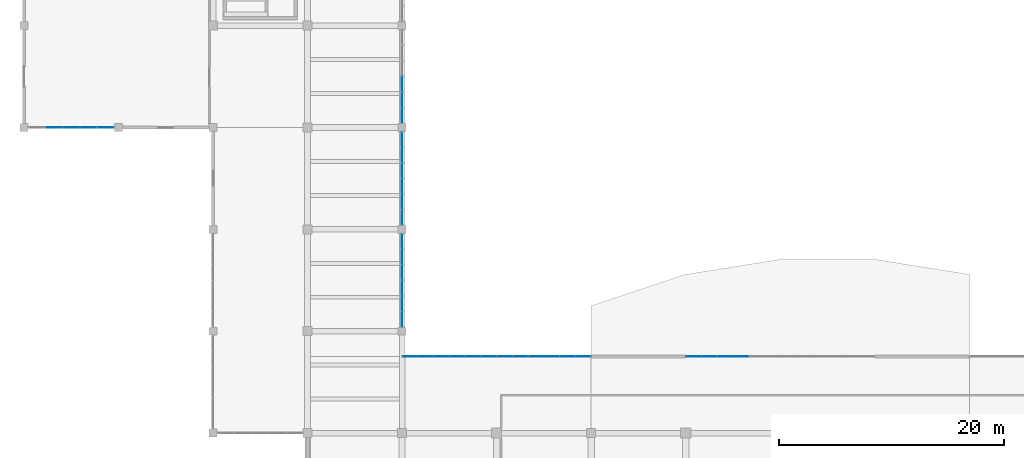
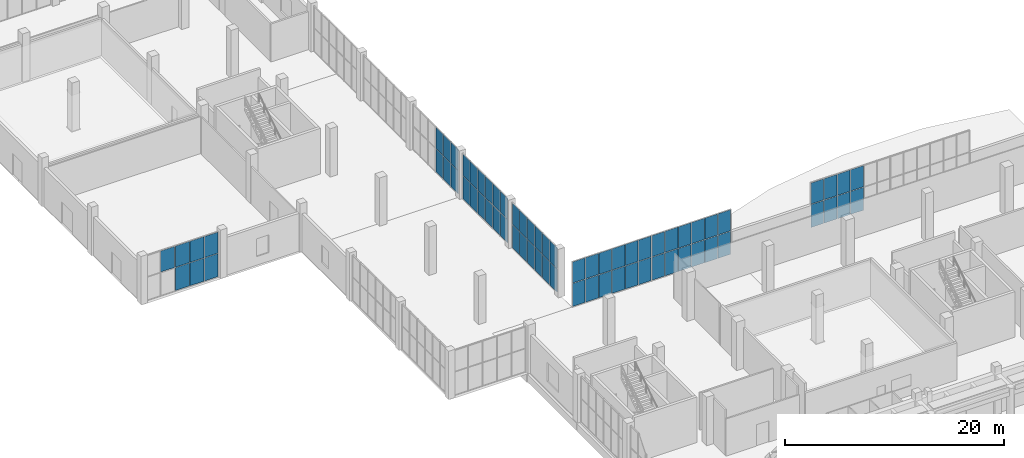
# One storey, part 63 of 91: 69 plates, 7 elements without a shape of their own.
"""IFC4 building model written with IfcOpenShell, lengths in metres."""

from ifc_helpers import new_model, si_unit, direction, frame, origin, origin_2d, place, context, subcontext, project, spatial, rectangle, extrude, material, layer, layer_set, type_object, element, aggregate, save


model = new_model("IFC4")

# Units and contexts
model_context = context("Model", 3, precision=1e-05, world=origin(), true_north=direction((0.0, 1.0)))
body_context = subcontext(model_context, "Body", "Model", "MODEL_VIEW")
ifc_project = project(units=[si_unit("LENGTHUNIT", "METRE"), si_unit("AREAUNIT", "SQUARE_METRE"), si_unit("VOLUMEUNIT", "CUBIC_METRE"), si_unit("PLANEANGLEUNIT", "RADIAN"), si_unit("MASSUNIT", "GRAM", prefix="KILO")], contexts=[model_context])

# Site, building, storey
site_placement = place(None, origin())
site = spatial("IfcSite", under=ifc_project, at=site_placement, CompositionType="ELEMENT")
building_placement = place(site_placement, origin())
building = spatial("IfcBuilding", under=site, at=building_placement, Name="Khurvash Pelagic Aquarium", CompositionType="ELEMENT")
storey_placement = place(building_placement, origin())
storey = spatial("IfcBuildingStorey", under=building, at=storey_placement, Name="L00", CompositionType="ELEMENT", Elevation=0.0)

# Curtain wall, plates
ifc_material_1 = material(Name="Anodised aluminium and low-E laminated glass", Category="aluminium")
curtain_wall_type_1 = type_object("IfcCurtainWallType", Name="CW-02", PredefinedType="USERDEFINED", material=ifc_material_1)
curtain_wall_1_placement = place(storey_placement, origin())
curtain_wall_1 = element("IfcCurtainWall", 1, at=curtain_wall_1_placement, inside=storey, type_object=curtain_wall_type_1, Name="L00 Facade Unitised Curtain Wall CW-02 0071", ObjectType="UNITISED CURTAIN WALL", PredefinedType="USERDEFINED")
ifc_material_2 = material(Name="Low-E laminated double glazing", Category="glass")
ifc_layer_1 = layer(ifc_material_2, 0.031982421875)
ifc_layer_set_1 = layer_set([ifc_layer_1], Name="Low-E laminated double glazing")
plate_type_1 = type_object("IfcPlateType", Name="CG-02", PredefinedType="CURTAIN_PANEL", material=ifc_layer_set_1)
plate_1_placement = place(storey_placement, frame((2.662109375, 56.89990234375, 2.677001953125), z_axis=(0.0, 0.0, 1.0), x_axis=(1.0, 0.0, 0.0)))
plate_1 = element("IfcPlate", 2, at=plate_1_placement, type_object=plate_type_1, Name="CW-02 panel 2.2", PredefinedType="CURTAIN_PANEL", context=body_context, shape_type="SweptSolid", body=[
    extrude(rectangle(XDim=1.47802734375, YDim=0.031982421875, at=origin_2d()), origin(), (0.0, 0.0, 1.0), 2.35302734375),
])
plate_2_placement = place(storey_placement, frame((4.199951171875, 56.89990234375, 0.06005859375), z_axis=(0.0, 0.0, 1.0), x_axis=(1.0, 0.0, 0.0)))
plate_2 = element("IfcPlate", 3, at=plate_2_placement, type_object=plate_type_1, Name="CW-02 panel 3.1", PredefinedType="CURTAIN_PANEL", context=body_context, shape_type="SweptSolid", body=[
    extrude(rectangle(XDim=1.47802734375, YDim=0.031982421875, at=origin_2d()), origin(), (0.0, 0.0, 1.0), 2.556884765625),
])
plate_3_placement = place(storey_placement, frame((4.199951171875, 56.89990234375, 2.677001953125), z_axis=(0.0, 0.0, 1.0), x_axis=(1.0, 0.0, 0.0)))
plate_3 = element("IfcPlate", 4, at=plate_3_placement, type_object=plate_type_1, Name="CW-02 panel 3.2", PredefinedType="CURTAIN_PANEL", context=body_context, shape_type="SweptSolid", body=[
    extrude(rectangle(XDim=1.47802734375, YDim=0.031982421875, at=origin_2d()), origin(), (0.0, 0.0, 1.0), 2.35302734375),
])
plate_4_placement = place(storey_placement, frame((5.738037109375, 56.89990234375, 0.06005859375), z_axis=(0.0, 0.0, 1.0), x_axis=(1.0, 0.0, 0.0)))
plate_4 = element("IfcPlate", 5, at=plate_4_placement, type_object=plate_type_1, Name="CW-02 panel 4.1", PredefinedType="CURTAIN_PANEL", context=body_context, shape_type="SweptSolid", body=[
    extrude(rectangle(XDim=1.47802734375, YDim=0.031982421875, at=origin_2d()), origin(), (0.0, 0.0, 1.0), 2.556884765625),
])
plate_5_placement = place(storey_placement, frame((5.738037109375, 56.89990234375, 2.677001953125), z_axis=(0.0, 0.0, 1.0), x_axis=(1.0, 0.0, 0.0)))
plate_5 = element("IfcPlate", 6, at=plate_5_placement, type_object=plate_type_1, Name="CW-02 panel 4.2", PredefinedType="CURTAIN_PANEL", context=body_context, shape_type="SweptSolid", body=[
    extrude(rectangle(XDim=1.47802734375, YDim=0.031982421875, at=origin_2d()), origin(), (0.0, 0.0, 1.0), 2.35302734375),
])
plate_6_placement = place(storey_placement, frame((7.260986328125, 56.89990234375, 0.06005859375), z_axis=(0.0, 0.0, 1.0), x_axis=(1.0, 0.0, 0.0)))
plate_6 = element("IfcPlate", 7, at=plate_6_placement, type_object=plate_type_1, Name="CW-02 panel 5.1", PredefinedType="CURTAIN_PANEL", context=body_context, shape_type="SweptSolid", body=[
    extrude(rectangle(XDim=1.447998046875, YDim=0.031982421875, at=origin_2d()), origin(), (0.0, 0.0, 1.0), 2.556884765625),
])
plate_7_placement = place(storey_placement, frame((7.260986328125, 56.89990234375, 2.677001953125), z_axis=(0.0, 0.0, 1.0), x_axis=(1.0, 0.0, 0.0)))
plate_7 = element("IfcPlate", 8, at=plate_7_placement, type_object=plate_type_1, Name="CW-02 panel 5.2", PredefinedType="CURTAIN_PANEL", context=body_context, shape_type="SweptSolid", body=[
    extrude(rectangle(XDim=1.447998046875, YDim=0.031982421875, at=origin_2d()), origin(), (0.0, 0.0, 1.0), 2.35302734375),
])
aggregate(curtain_wall_1, [plate_1, plate_2, plate_3, plate_4, plate_5, plate_6, plate_7])

curtain_wall_2_placement = place(storey_placement, origin())
curtain_wall_2 = element("IfcCurtainWall", 9, at=curtain_wall_2_placement, inside=storey, type_object=curtain_wall_type_1, Name="L00 Facade Unitised Curtain Wall CW-02 0097", ObjectType="UNITISED CURTAIN WALL", PredefinedType="USERDEFINED")
plate_8_placement = place(storey_placement, frame((63.699951171875, 36.550048828125, 0.06005859375), z_axis=(0.0, 0.0, 1.0), x_axis=(-1.0, 0.0, 0.0)))
plate_8 = element("IfcPlate", 10, at=plate_8_placement, type_object=plate_type_1, Name="CW-02 panel 3.1", PredefinedType="CURTAIN_PANEL", context=body_context, shape_type="SweptSolid", body=[
    extrude(rectangle(XDim=1.340087890625, YDim=0.031982421875, at=origin_2d()), origin(), (0.0, 0.0, 1.0), 2.556884765625),
])
plate_9_placement = place(storey_placement, frame((63.699951171875, 36.550048828125, 2.677001953125), z_axis=(0.0, 0.0, 1.0), x_axis=(-1.0, 0.0, 0.0)))
plate_9 = element("IfcPlate", 11, at=plate_9_placement, type_object=plate_type_1, Name="CW-02 panel 3.2", PredefinedType="CURTAIN_PANEL", context=body_context, shape_type="SweptSolid", body=[
    extrude(rectangle(XDim=1.340087890625, YDim=0.031982421875, at=origin_2d()), origin(), (0.0, 0.0, 1.0), 2.35302734375),
])
plate_10_placement = place(storey_placement, frame((62.300048828125, 36.550048828125, 0.06005859375), z_axis=(0.0, 0.0, 1.0), x_axis=(-1.0, 0.0, 0.0)))
plate_10 = element("IfcPlate", 12, at=plate_10_placement, type_object=plate_type_1, Name="CW-02 panel 4.1", PredefinedType="CURTAIN_PANEL", context=body_context, shape_type="SweptSolid", body=[
    extrude(rectangle(XDim=1.340087890625, YDim=0.031982421875, at=origin_2d()), origin(), (0.0, 0.0, 1.0), 2.556884765625),
])
plate_11_placement = place(storey_placement, frame((62.300048828125, 36.550048828125, 2.677001953125), z_axis=(0.0, 0.0, 1.0), x_axis=(-1.0, 0.0, 0.0)))
plate_11 = element("IfcPlate", 13, at=plate_11_placement, type_object=plate_type_1, Name="CW-02 panel 4.2", PredefinedType="CURTAIN_PANEL", context=body_context, shape_type="SweptSolid", body=[
    extrude(rectangle(XDim=1.340087890625, YDim=0.031982421875, at=origin_2d()), origin(), (0.0, 0.0, 1.0), 2.35302734375),
])
plate_12_placement = place(storey_placement, frame((60.89990234375, 36.550048828125, 0.06005859375), z_axis=(0.0, 0.0, 1.0), x_axis=(-1.0, 0.0, 0.0)))
plate_12 = element("IfcPlate", 14, at=plate_12_placement, type_object=plate_type_1, Name="CW-02 panel 5.1", PredefinedType="CURTAIN_PANEL", context=body_context, shape_type="SweptSolid", body=[
    extrude(rectangle(XDim=1.340087890625, YDim=0.031982421875, at=origin_2d()), origin(), (0.0, 0.0, 1.0), 2.556884765625),
])
plate_13_placement = place(storey_placement, frame((60.89990234375, 36.550048828125, 2.677001953125), z_axis=(0.0, 0.0, 1.0), x_axis=(-1.0, 0.0, 0.0)))
plate_13 = element("IfcPlate", 15, at=plate_13_placement, type_object=plate_type_1, Name="CW-02 panel 5.2", PredefinedType="CURTAIN_PANEL", context=body_context, shape_type="SweptSolid", body=[
    extrude(rectangle(XDim=1.340087890625, YDim=0.031982421875, at=origin_2d()), origin(), (0.0, 0.0, 1.0), 2.35302734375),
])
plate_14_placement = place(storey_placement, frame((59.514892578125, 36.550048828125, 0.06005859375), z_axis=(0.0, 0.0, 1.0), x_axis=(-1.0, 0.0, 0.0)))
plate_14 = element("IfcPlate", 16, at=plate_14_placement, type_object=plate_type_1, Name="CW-02 panel 6.1", PredefinedType="CURTAIN_PANEL", context=body_context, shape_type="SweptSolid", body=[
    extrude(rectangle(XDim=1.31005859375, YDim=0.031982421875, at=origin_2d()), origin(), (0.0, 0.0, 1.0), 2.556884765625),
])
plate_15_placement = place(storey_placement, frame((59.514892578125, 36.550048828125, 2.677001953125), z_axis=(0.0, 0.0, 1.0), x_axis=(-1.0, 0.0, 0.0)))
plate_15 = element("IfcPlate", 17, at=plate_15_placement, type_object=plate_type_1, Name="CW-02 panel 6.2", PredefinedType="CURTAIN_PANEL", context=body_context, shape_type="SweptSolid", body=[
    extrude(rectangle(XDim=1.31005859375, YDim=0.031982421875, at=origin_2d()), origin(), (0.0, 0.0, 1.0), 2.35302734375),
])
aggregate(curtain_wall_2, [plate_8, plate_9, plate_10, plate_11, plate_12, plate_13, plate_14, plate_15])

curtain_wall_3_placement = place(storey_placement, origin())
curtain_wall_3 = element("IfcCurtainWall", 18, at=curtain_wall_3_placement, inside=storey, type_object=curtain_wall_type_1, Name="L00 Facade Unitised Curtain Wall CW-02 0098", ObjectType="UNITISED CURTAIN WALL", PredefinedType="USERDEFINED")
plate_16_placement = place(storey_placement, frame((49.68505859375, 36.550048828125, 0.06005859375), z_axis=(0.0, 0.0, 1.0), x_axis=(-1.0, 0.0, 0.0)))
plate_16 = element("IfcPlate", 19, at=plate_16_placement, type_object=plate_type_1, Name="CW-02 panel 1.1", PredefinedType="CURTAIN_PANEL", context=body_context, shape_type="SweptSolid", body=[
    extrude(rectangle(XDim=1.31005859375, YDim=0.031982421875, at=origin_2d()), origin(), (0.0, 0.0, 1.0), 2.556884765625),
])
plate_17_placement = place(storey_placement, frame((49.68505859375, 36.550048828125, 2.677001953125), z_axis=(0.0, 0.0, 1.0), x_axis=(-1.0, 0.0, 0.0)))
plate_17 = element("IfcPlate", 20, at=plate_17_placement, type_object=plate_type_1, Name="CW-02 panel 1.2", PredefinedType="CURTAIN_PANEL", context=body_context, shape_type="SweptSolid", body=[
    extrude(rectangle(XDim=1.31005859375, YDim=0.031982421875, at=origin_2d()), origin(), (0.0, 0.0, 1.0), 2.35302734375),
])
plate_18_placement = place(storey_placement, frame((48.300048828125, 36.550048828125, 0.06005859375), z_axis=(0.0, 0.0, 1.0), x_axis=(-1.0, 0.0, 0.0)))
plate_18 = element("IfcPlate", 21, at=plate_18_placement, type_object=plate_type_1, Name="CW-02 panel 2.1", PredefinedType="CURTAIN_PANEL", context=body_context, shape_type="SweptSolid", body=[
    extrude(rectangle(XDim=1.340087890625, YDim=0.031982421875, at=origin_2d()), origin(), (0.0, 0.0, 1.0), 2.556884765625),
])
plate_19_placement = place(storey_placement, frame((48.300048828125, 36.550048828125, 2.677001953125), z_axis=(0.0, 0.0, 1.0), x_axis=(-1.0, 0.0, 0.0)))
plate_19 = element("IfcPlate", 22, at=plate_19_placement, type_object=plate_type_1, Name="CW-02 panel 2.2", PredefinedType="CURTAIN_PANEL", context=body_context, shape_type="SweptSolid", body=[
    extrude(rectangle(XDim=1.340087890625, YDim=0.031982421875, at=origin_2d()), origin(), (0.0, 0.0, 1.0), 2.35302734375),
])
plate_20_placement = place(storey_placement, frame((46.89990234375, 36.550048828125, 0.06005859375), z_axis=(0.0, 0.0, 1.0), x_axis=(-1.0, 0.0, 0.0)))
plate_20 = element("IfcPlate", 23, at=plate_20_placement, type_object=plate_type_1, Name="CW-02 panel 3.1", PredefinedType="CURTAIN_PANEL", context=body_context, shape_type="SweptSolid", body=[
    extrude(rectangle(XDim=1.340087890625, YDim=0.031982421875, at=origin_2d()), origin(), (0.0, 0.0, 1.0), 2.556884765625),
])
plate_21_placement = place(storey_placement, frame((46.89990234375, 36.550048828125, 2.677001953125), z_axis=(0.0, 0.0, 1.0), x_axis=(-1.0, 0.0, 0.0)))
plate_21 = element("IfcPlate", 24, at=plate_21_placement, type_object=plate_type_1, Name="CW-02 panel 3.2", PredefinedType="CURTAIN_PANEL", context=body_context, shape_type="SweptSolid", body=[
    extrude(rectangle(XDim=1.340087890625, YDim=0.031982421875, at=origin_2d()), origin(), (0.0, 0.0, 1.0), 2.35302734375),
])
plate_22_placement = place(storey_placement, frame((45.5, 36.550048828125, 0.06005859375), z_axis=(0.0, 0.0, 1.0), x_axis=(-1.0, 0.0, 0.0)))
plate_22 = element("IfcPlate", 25, at=plate_22_placement, type_object=plate_type_1, Name="CW-02 panel 4.1", PredefinedType="CURTAIN_PANEL", context=body_context, shape_type="SweptSolid", body=[
    extrude(rectangle(XDim=1.340087890625, YDim=0.031982421875, at=origin_2d()), origin(), (0.0, 0.0, 1.0), 2.556884765625),
])
plate_23_placement = place(storey_placement, frame((45.5, 36.550048828125, 2.677001953125), z_axis=(0.0, 0.0, 1.0), x_axis=(-1.0, 0.0, 0.0)))
plate_23 = element("IfcPlate", 26, at=plate_23_placement, type_object=plate_type_1, Name="CW-02 panel 4.2", PredefinedType="CURTAIN_PANEL", context=body_context, shape_type="SweptSolid", body=[
    extrude(rectangle(XDim=1.340087890625, YDim=0.031982421875, at=origin_2d()), origin(), (0.0, 0.0, 1.0), 2.35302734375),
])
plate_24_placement = place(storey_placement, frame((44.10009765625, 36.550048828125, 0.06005859375), z_axis=(0.0, 0.0, 1.0), x_axis=(-1.0, 0.0, 0.0)))
plate_24 = element("IfcPlate", 27, at=plate_24_placement, type_object=plate_type_1, Name="CW-02 panel 5.1", PredefinedType="CURTAIN_PANEL", context=body_context, shape_type="SweptSolid", body=[
    extrude(rectangle(XDim=1.340087890625, YDim=0.031982421875, at=origin_2d()), origin(), (0.0, 0.0, 1.0), 2.556884765625),
])
plate_25_placement = place(storey_placement, frame((44.10009765625, 36.550048828125, 2.677001953125), z_axis=(0.0, 0.0, 1.0), x_axis=(-1.0, 0.0, 0.0)))
plate_25 = element("IfcPlate", 28, at=plate_25_placement, type_object=plate_type_1, Name="CW-02 panel 5.2", PredefinedType="CURTAIN_PANEL", context=body_context, shape_type="SweptSolid", body=[
    extrude(rectangle(XDim=1.340087890625, YDim=0.031982421875, at=origin_2d()), origin(), (0.0, 0.0, 1.0), 2.35302734375),
])
plate_26_placement = place(storey_placement, frame((42.715087890625, 36.550048828125, 0.06005859375), z_axis=(0.0, 0.0, 1.0), x_axis=(-1.0, 0.0, 0.0)))
plate_26 = element("IfcPlate", 29, at=plate_26_placement, type_object=plate_type_1, Name="CW-02 panel 6.1", PredefinedType="CURTAIN_PANEL", context=body_context, shape_type="SweptSolid", body=[
    extrude(rectangle(XDim=1.31005859375, YDim=0.031982421875, at=origin_2d()), origin(), (0.0, 0.0, 1.0), 2.556884765625),
])
plate_27_placement = place(storey_placement, frame((42.715087890625, 36.550048828125, 2.677001953125), z_axis=(0.0, 0.0, 1.0), x_axis=(-1.0, 0.0, 0.0)))
plate_27 = element("IfcPlate", 30, at=plate_27_placement, type_object=plate_type_1, Name="CW-02 panel 6.2", PredefinedType="CURTAIN_PANEL", context=body_context, shape_type="SweptSolid", body=[
    extrude(rectangle(XDim=1.31005859375, YDim=0.031982421875, at=origin_2d()), origin(), (0.0, 0.0, 1.0), 2.35302734375),
])
aggregate(curtain_wall_3, [plate_16, plate_17, plate_18, plate_19, plate_20, plate_21, plate_22, plate_23, plate_24, plate_25, plate_26, plate_27])

curtain_wall_4_placement = place(storey_placement, origin())
curtain_wall_4 = element("IfcCurtainWall", 31, at=curtain_wall_4_placement, inside=storey, type_object=curtain_wall_type_1, Name="L00 Facade Unitised Curtain Wall CW-02 0099", ObjectType="UNITISED CURTAIN WALL", PredefinedType="USERDEFINED")
plate_28_placement = place(storey_placement, frame((41.284912109375, 36.550048828125, 0.06005859375), z_axis=(0.0, 0.0, 1.0), x_axis=(-1.0, 0.0, 0.0)))
plate_28 = element("IfcPlate", 32, at=plate_28_placement, type_object=plate_type_1, Name="CW-02 panel 1.1", PredefinedType="CURTAIN_PANEL", context=body_context, shape_type="SweptSolid", body=[
    extrude(rectangle(XDim=1.31005859375, YDim=0.031982421875, at=origin_2d()), origin(), (0.0, 0.0, 1.0), 2.556884765625),
])
plate_29_placement = place(storey_placement, frame((41.284912109375, 36.550048828125, 2.677001953125), z_axis=(0.0, 0.0, 1.0), x_axis=(-1.0, 0.0, 0.0)))
plate_29 = element("IfcPlate", 33, at=plate_29_placement, type_object=plate_type_1, Name="CW-02 panel 1.2", PredefinedType="CURTAIN_PANEL", context=body_context, shape_type="SweptSolid", body=[
    extrude(rectangle(XDim=1.31005859375, YDim=0.031982421875, at=origin_2d()), origin(), (0.0, 0.0, 1.0), 2.35302734375),
])
plate_30_placement = place(storey_placement, frame((39.89990234375, 36.550048828125, 0.06005859375), z_axis=(0.0, 0.0, 1.0), x_axis=(-1.0, 0.0, 0.0)))
plate_30 = element("IfcPlate", 34, at=plate_30_placement, type_object=plate_type_1, Name="CW-02 panel 2.1", PredefinedType="CURTAIN_PANEL", context=body_context, shape_type="SweptSolid", body=[
    extrude(rectangle(XDim=1.340087890625, YDim=0.031982421875, at=origin_2d()), origin(), (0.0, 0.0, 1.0), 2.556884765625),
])
plate_31_placement = place(storey_placement, frame((39.89990234375, 36.550048828125, 2.677001953125), z_axis=(0.0, 0.0, 1.0), x_axis=(-1.0, 0.0, 0.0)))
plate_31 = element("IfcPlate", 35, at=plate_31_placement, type_object=plate_type_1, Name="CW-02 panel 2.2", PredefinedType="CURTAIN_PANEL", context=body_context, shape_type="SweptSolid", body=[
    extrude(rectangle(XDim=1.340087890625, YDim=0.031982421875, at=origin_2d()), origin(), (0.0, 0.0, 1.0), 2.35302734375),
])
plate_32_placement = place(storey_placement, frame((38.5, 36.550048828125, 0.06005859375), z_axis=(0.0, 0.0, 1.0), x_axis=(-1.0, 0.0, 0.0)))
plate_32 = element("IfcPlate", 36, at=plate_32_placement, type_object=plate_type_1, Name="CW-02 panel 3.1", PredefinedType="CURTAIN_PANEL", context=body_context, shape_type="SweptSolid", body=[
    extrude(rectangle(XDim=1.340087890625, YDim=0.031982421875, at=origin_2d()), origin(), (0.0, 0.0, 1.0), 2.556884765625),
])
plate_33_placement = place(storey_placement, frame((38.5, 36.550048828125, 2.677001953125), z_axis=(0.0, 0.0, 1.0), x_axis=(-1.0, 0.0, 0.0)))
plate_33 = element("IfcPlate", 37, at=plate_33_placement, type_object=plate_type_1, Name="CW-02 panel 3.2", PredefinedType="CURTAIN_PANEL", context=body_context, shape_type="SweptSolid", body=[
    extrude(rectangle(XDim=1.340087890625, YDim=0.031982421875, at=origin_2d()), origin(), (0.0, 0.0, 1.0), 2.35302734375),
])
plate_34_placement = place(storey_placement, frame((37.10009765625, 36.550048828125, 0.06005859375), z_axis=(0.0, 0.0, 1.0), x_axis=(-1.0, 0.0, 0.0)))
plate_34 = element("IfcPlate", 38, at=plate_34_placement, type_object=plate_type_1, Name="CW-02 panel 4.1", PredefinedType="CURTAIN_PANEL", context=body_context, shape_type="SweptSolid", body=[
    extrude(rectangle(XDim=1.340087890625, YDim=0.031982421875, at=origin_2d()), origin(), (0.0, 0.0, 1.0), 2.556884765625),
])
plate_35_placement = place(storey_placement, frame((37.10009765625, 36.550048828125, 2.677001953125), z_axis=(0.0, 0.0, 1.0), x_axis=(-1.0, 0.0, 0.0)))
plate_35 = element("IfcPlate", 39, at=plate_35_placement, type_object=plate_type_1, Name="CW-02 panel 4.2", PredefinedType="CURTAIN_PANEL", context=body_context, shape_type="SweptSolid", body=[
    extrude(rectangle(XDim=1.340087890625, YDim=0.031982421875, at=origin_2d()), origin(), (0.0, 0.0, 1.0), 2.35302734375),
])
plate_36_placement = place(storey_placement, frame((35.699951171875, 36.550048828125, 0.06005859375), z_axis=(0.0, 0.0, 1.0), x_axis=(-1.0, 0.0, 0.0)))
plate_36 = element("IfcPlate", 40, at=plate_36_placement, type_object=plate_type_1, Name="CW-02 panel 5.1", PredefinedType="CURTAIN_PANEL", context=body_context, shape_type="SweptSolid", body=[
    extrude(rectangle(XDim=1.340087890625, YDim=0.031982421875, at=origin_2d()), origin(), (0.0, 0.0, 1.0), 2.556884765625),
])
plate_37_placement = place(storey_placement, frame((35.699951171875, 36.550048828125, 2.677001953125), z_axis=(0.0, 0.0, 1.0), x_axis=(-1.0, 0.0, 0.0)))
plate_37 = element("IfcPlate", 41, at=plate_37_placement, type_object=plate_type_1, Name="CW-02 panel 5.2", PredefinedType="CURTAIN_PANEL", context=body_context, shape_type="SweptSolid", body=[
    extrude(rectangle(XDim=1.340087890625, YDim=0.031982421875, at=origin_2d()), origin(), (0.0, 0.0, 1.0), 2.35302734375),
])
plate_38_placement = place(storey_placement, frame((34.31494140625, 36.550048828125, 0.06005859375), z_axis=(0.0, 0.0, 1.0), x_axis=(-1.0, 0.0, 0.0)))
plate_38 = element("IfcPlate", 42, at=plate_38_placement, type_object=plate_type_1, Name="CW-02 panel 6.1", PredefinedType="CURTAIN_PANEL", context=body_context, shape_type="SweptSolid", body=[
    extrude(rectangle(XDim=1.31005859375, YDim=0.031982421875, at=origin_2d()), origin(), (0.0, 0.0, 1.0), 2.556884765625),
])
plate_39_placement = place(storey_placement, frame((34.31494140625, 36.550048828125, 2.677001953125), z_axis=(0.0, 0.0, 1.0), x_axis=(-1.0, 0.0, 0.0)))
plate_39 = element("IfcPlate", 43, at=plate_39_placement, type_object=plate_type_1, Name="CW-02 panel 6.2", PredefinedType="CURTAIN_PANEL", context=body_context, shape_type="SweptSolid", body=[
    extrude(rectangle(XDim=1.31005859375, YDim=0.031982421875, at=origin_2d()), origin(), (0.0, 0.0, 1.0), 2.35302734375),
])
aggregate(curtain_wall_4, [plate_28, plate_29, plate_30, plate_31, plate_32, plate_33, plate_34, plate_35, plate_36, plate_37, plate_38, plate_39])

curtain_wall_type_2 = type_object("IfcCurtainWallType", Name="CW-05", PredefinedType="USERDEFINED", material=ifc_material_1)
curtain_wall_5_placement = place(storey_placement, origin())
curtain_wall_5 = element("IfcCurtainWall", 44, at=curtain_wall_5_placement, inside=storey, type_object=curtain_wall_type_2, Name="L00 Facade Unitised Curtain Wall CW-05 0075", ObjectType="UNITISED CURTAIN WALL", PredefinedType="USERDEFINED")
ifc_layer_2 = layer(ifc_material_2, 0.033935546875)
ifc_layer_set_2 = layer_set([ifc_layer_2], Name="Low-E laminated double glazing")
plate_type_2 = type_object("IfcPlateType", Name="CG-05", PredefinedType="CURTAIN_PANEL", material=ifc_layer_set_2)
plate_40_placement = place(storey_placement, frame((33.60009765625, 39.864990234375, 0.06005859375), z_axis=(0.0, 0.0, 1.0), x_axis=(0.0, 1.0, 0.0)))
plate_40 = element("IfcPlate", 45, at=plate_40_placement, type_object=plate_type_2, Name="CW-05 panel 1.1", PredefinedType="CURTAIN_PANEL", context=body_context, shape_type="SweptSolid", body=[
    extrude(rectangle(XDim=1.300048828125, YDim=0.033935546875, at=origin_2d()), origin(), (0.0, 0.0, 1.0), 2.556884765625),
])
plate_41_placement = place(storey_placement, frame((33.60009765625, 39.864990234375, 2.677001953125), z_axis=(0.0, 0.0, 1.0), x_axis=(0.0, 1.0, 0.0)))
plate_41 = element("IfcPlate", 46, at=plate_41_placement, type_object=plate_type_2, Name="CW-05 panel 1.2", PredefinedType="CURTAIN_PANEL", context=body_context, shape_type="SweptSolid", body=[
    extrude(rectangle(XDim=1.300048828125, YDim=0.033935546875, at=origin_2d()), origin(), (0.0, 0.0, 1.0), 2.35302734375),
])
plate_42_placement = place(storey_placement, frame((33.60009765625, 41.239990234375, 0.06005859375), z_axis=(0.0, 0.0, 1.0), x_axis=(0.0, 1.0, 0.0)))
plate_42 = element("IfcPlate", 47, at=plate_42_placement, type_object=plate_type_2, Name="CW-05 panel 2.1", PredefinedType="CURTAIN_PANEL", context=body_context, shape_type="SweptSolid", body=[
    extrude(rectangle(XDim=1.330078125, YDim=0.033935546875, at=origin_2d()), origin(), (0.0, 0.0, 1.0), 2.556884765625),
])
plate_43_placement = place(storey_placement, frame((33.60009765625, 41.239990234375, 2.677001953125), z_axis=(0.0, 0.0, 1.0), x_axis=(0.0, 1.0, 0.0)))
plate_43 = element("IfcPlate", 48, at=plate_43_placement, type_object=plate_type_2, Name="CW-05 panel 2.2", PredefinedType="CURTAIN_PANEL", context=body_context, shape_type="SweptSolid", body=[
    extrude(rectangle(XDim=1.330078125, YDim=0.033935546875, at=origin_2d()), origin(), (0.0, 0.0, 1.0), 2.35302734375),
])
plate_44_placement = place(storey_placement, frame((33.60009765625, 42.6298828125, 0.06005859375), z_axis=(0.0, 0.0, 1.0), x_axis=(0.0, 1.0, 0.0)))
plate_44 = element("IfcPlate", 49, at=plate_44_placement, type_object=plate_type_2, Name="CW-05 panel 3.1", PredefinedType="CURTAIN_PANEL", context=body_context, shape_type="SweptSolid", body=[
    extrude(rectangle(XDim=1.330078125, YDim=0.033935546875, at=origin_2d()), origin(), (0.0, 0.0, 1.0), 2.556884765625),
])
plate_45_placement = place(storey_placement, frame((33.60009765625, 42.6298828125, 2.677001953125), z_axis=(0.0, 0.0, 1.0), x_axis=(0.0, 1.0, 0.0)))
plate_45 = element("IfcPlate", 50, at=plate_45_placement, type_object=plate_type_2, Name="CW-05 panel 3.2", PredefinedType="CURTAIN_PANEL", context=body_context, shape_type="SweptSolid", body=[
    extrude(rectangle(XDim=1.330078125, YDim=0.033935546875, at=origin_2d()), origin(), (0.0, 0.0, 1.0), 2.35302734375),
])
plate_46_placement = place(storey_placement, frame((33.60009765625, 44.02001953125, 0.06005859375), z_axis=(0.0, 0.0, 1.0), x_axis=(0.0, 1.0, 0.0)))
plate_46 = element("IfcPlate", 51, at=plate_46_placement, type_object=plate_type_2, Name="CW-05 panel 4.1", PredefinedType="CURTAIN_PANEL", context=body_context, shape_type="SweptSolid", body=[
    extrude(rectangle(XDim=1.330078125, YDim=0.033935546875, at=origin_2d()), origin(), (0.0, 0.0, 1.0), 2.556884765625),
])
plate_47_placement = place(storey_placement, frame((33.60009765625, 44.02001953125, 2.677001953125), z_axis=(0.0, 0.0, 1.0), x_axis=(0.0, 1.0, 0.0)))
plate_47 = element("IfcPlate", 52, at=plate_47_placement, type_object=plate_type_2, Name="CW-05 panel 4.2", PredefinedType="CURTAIN_PANEL", context=body_context, shape_type="SweptSolid", body=[
    extrude(rectangle(XDim=1.330078125, YDim=0.033935546875, at=origin_2d()), origin(), (0.0, 0.0, 1.0), 2.35302734375),
])
plate_48_placement = place(storey_placement, frame((33.60009765625, 45.409912109375, 0.06005859375), z_axis=(0.0, 0.0, 1.0), x_axis=(0.0, 1.0, 0.0)))
plate_48 = element("IfcPlate", 53, at=plate_48_placement, type_object=plate_type_2, Name="CW-05 panel 5.1", PredefinedType="CURTAIN_PANEL", context=body_context, shape_type="SweptSolid", body=[
    extrude(rectangle(XDim=1.330078125, YDim=0.033935546875, at=origin_2d()), origin(), (0.0, 0.0, 1.0), 2.556884765625),
])
plate_49_placement = place(storey_placement, frame((33.60009765625, 45.409912109375, 2.677001953125), z_axis=(0.0, 0.0, 1.0), x_axis=(0.0, 1.0, 0.0)))
plate_49 = element("IfcPlate", 54, at=plate_49_placement, type_object=plate_type_2, Name="CW-05 panel 5.2", PredefinedType="CURTAIN_PANEL", context=body_context, shape_type="SweptSolid", body=[
    extrude(rectangle(XDim=1.330078125, YDim=0.033935546875, at=origin_2d()), origin(), (0.0, 0.0, 1.0), 2.35302734375),
])
plate_50_placement = place(storey_placement, frame((33.60009765625, 46.784912109375, 0.06005859375), z_axis=(0.0, 0.0, 1.0), x_axis=(0.0, 1.0, 0.0)))
plate_50 = element("IfcPlate", 55, at=plate_50_placement, type_object=plate_type_2, Name="CW-05 panel 6.1", PredefinedType="CURTAIN_PANEL", context=body_context, shape_type="SweptSolid", body=[
    extrude(rectangle(XDim=1.300048828125, YDim=0.033935546875, at=origin_2d()), origin(), (0.0, 0.0, 1.0), 2.556884765625),
])
plate_51_placement = place(storey_placement, frame((33.60009765625, 46.784912109375, 2.677001953125), z_axis=(0.0, 0.0, 1.0), x_axis=(0.0, 1.0, 0.0)))
plate_51 = element("IfcPlate", 56, at=plate_51_placement, type_object=plate_type_2, Name="CW-05 panel 6.2", PredefinedType="CURTAIN_PANEL", context=body_context, shape_type="SweptSolid", body=[
    extrude(rectangle(XDim=1.300048828125, YDim=0.033935546875, at=origin_2d()), origin(), (0.0, 0.0, 1.0), 2.35302734375),
])
aggregate(curtain_wall_5, [plate_40, plate_41, plate_42, plate_43, plate_44, plate_45, plate_46, plate_47, plate_48, plate_49, plate_50, plate_51])

curtain_wall_6_placement = place(storey_placement, origin())
curtain_wall_6 = element("IfcCurtainWall", 57, at=curtain_wall_6_placement, inside=storey, type_object=curtain_wall_type_2, Name="L00 Facade Unitised Curtain Wall CW-05 0076", ObjectType="UNITISED CURTAIN WALL", PredefinedType="USERDEFINED")
plate_52_placement = place(storey_placement, frame((33.60009765625, 48.9150390625, 0.06005859375), z_axis=(0.0, 0.0, 1.0), x_axis=(0.0, 1.0, 0.0)))
plate_52 = element("IfcPlate", 58, at=plate_52_placement, type_object=plate_type_2, Name="CW-05 panel 1.1", PredefinedType="CURTAIN_PANEL", context=body_context, shape_type="SweptSolid", body=[
    extrude(rectangle(XDim=1.300048828125, YDim=0.033935546875, at=origin_2d()), origin(), (0.0, 0.0, 1.0), 2.556884765625),
])
plate_53_placement = place(storey_placement, frame((33.60009765625, 48.9150390625, 2.677001953125), z_axis=(0.0, 0.0, 1.0), x_axis=(0.0, 1.0, 0.0)))
plate_53 = element("IfcPlate", 59, at=plate_53_placement, type_object=plate_type_2, Name="CW-05 panel 1.2", PredefinedType="CURTAIN_PANEL", context=body_context, shape_type="SweptSolid", body=[
    extrude(rectangle(XDim=1.300048828125, YDim=0.033935546875, at=origin_2d()), origin(), (0.0, 0.0, 1.0), 2.35302734375),
])
plate_54_placement = place(storey_placement, frame((33.60009765625, 50.2900390625, 0.06005859375), z_axis=(0.0, 0.0, 1.0), x_axis=(0.0, 1.0, 0.0)))
plate_54 = element("IfcPlate", 60, at=plate_54_placement, type_object=plate_type_2, Name="CW-05 panel 2.1", PredefinedType="CURTAIN_PANEL", context=body_context, shape_type="SweptSolid", body=[
    extrude(rectangle(XDim=1.330078125, YDim=0.033935546875, at=origin_2d()), origin(), (0.0, 0.0, 1.0), 2.556884765625),
])
plate_55_placement = place(storey_placement, frame((33.60009765625, 50.2900390625, 2.677001953125), z_axis=(0.0, 0.0, 1.0), x_axis=(0.0, 1.0, 0.0)))
plate_55 = element("IfcPlate", 61, at=plate_55_placement, type_object=plate_type_2, Name="CW-05 panel 2.2", PredefinedType="CURTAIN_PANEL", context=body_context, shape_type="SweptSolid", body=[
    extrude(rectangle(XDim=1.330078125, YDim=0.033935546875, at=origin_2d()), origin(), (0.0, 0.0, 1.0), 2.35302734375),
])
plate_56_placement = place(storey_placement, frame((33.60009765625, 51.679931640625, 0.06005859375), z_axis=(0.0, 0.0, 1.0), x_axis=(0.0, 1.0, 0.0)))
plate_56 = element("IfcPlate", 62, at=plate_56_placement, type_object=plate_type_2, Name="CW-05 panel 3.1", PredefinedType="CURTAIN_PANEL", context=body_context, shape_type="SweptSolid", body=[
    extrude(rectangle(XDim=1.330078125, YDim=0.033935546875, at=origin_2d()), origin(), (0.0, 0.0, 1.0), 2.556884765625),
])
plate_57_placement = place(storey_placement, frame((33.60009765625, 51.679931640625, 2.677001953125), z_axis=(0.0, 0.0, 1.0), x_axis=(0.0, 1.0, 0.0)))
plate_57 = element("IfcPlate", 63, at=plate_57_placement, type_object=plate_type_2, Name="CW-05 panel 3.2", PredefinedType="CURTAIN_PANEL", context=body_context, shape_type="SweptSolid", body=[
    extrude(rectangle(XDim=1.330078125, YDim=0.033935546875, at=origin_2d()), origin(), (0.0, 0.0, 1.0), 2.35302734375),
])
plate_58_placement = place(storey_placement, frame((33.60009765625, 53.070068359375, 0.06005859375), z_axis=(0.0, 0.0, 1.0), x_axis=(0.0, 1.0, 0.0)))
plate_58 = element("IfcPlate", 64, at=plate_58_placement, type_object=plate_type_2, Name="CW-05 panel 4.1", PredefinedType="CURTAIN_PANEL", context=body_context, shape_type="SweptSolid", body=[
    extrude(rectangle(XDim=1.330078125, YDim=0.033935546875, at=origin_2d()), origin(), (0.0, 0.0, 1.0), 2.556884765625),
])
plate_59_placement = place(storey_placement, frame((33.60009765625, 53.070068359375, 2.677001953125), z_axis=(0.0, 0.0, 1.0), x_axis=(0.0, 1.0, 0.0)))
plate_59 = element("IfcPlate", 65, at=plate_59_placement, type_object=plate_type_2, Name="CW-05 panel 4.2", PredefinedType="CURTAIN_PANEL", context=body_context, shape_type="SweptSolid", body=[
    extrude(rectangle(XDim=1.330078125, YDim=0.033935546875, at=origin_2d()), origin(), (0.0, 0.0, 1.0), 2.35302734375),
])
plate_60_placement = place(storey_placement, frame((33.60009765625, 54.4599609375, 0.06005859375), z_axis=(0.0, 0.0, 1.0), x_axis=(0.0, 1.0, 0.0)))
plate_60 = element("IfcPlate", 66, at=plate_60_placement, type_object=plate_type_2, Name="CW-05 panel 5.1", PredefinedType="CURTAIN_PANEL", context=body_context, shape_type="SweptSolid", body=[
    extrude(rectangle(XDim=1.330078125, YDim=0.033935546875, at=origin_2d()), origin(), (0.0, 0.0, 1.0), 2.556884765625),
])
plate_61_placement = place(storey_placement, frame((33.60009765625, 54.4599609375, 2.677001953125), z_axis=(0.0, 0.0, 1.0), x_axis=(0.0, 1.0, 0.0)))
plate_61 = element("IfcPlate", 67, at=plate_61_placement, type_object=plate_type_2, Name="CW-05 panel 5.2", PredefinedType="CURTAIN_PANEL", context=body_context, shape_type="SweptSolid", body=[
    extrude(rectangle(XDim=1.330078125, YDim=0.033935546875, at=origin_2d()), origin(), (0.0, 0.0, 1.0), 2.35302734375),
])
plate_62_placement = place(storey_placement, frame((33.60009765625, 55.8349609375, 0.06005859375), z_axis=(0.0, 0.0, 1.0), x_axis=(0.0, 1.0, 0.0)))
plate_62 = element("IfcPlate", 68, at=plate_62_placement, type_object=plate_type_2, Name="CW-05 panel 6.1", PredefinedType="CURTAIN_PANEL", context=body_context, shape_type="SweptSolid", body=[
    extrude(rectangle(XDim=1.300048828125, YDim=0.033935546875, at=origin_2d()), origin(), (0.0, 0.0, 1.0), 2.556884765625),
])
plate_63_placement = place(storey_placement, frame((33.60009765625, 55.8349609375, 2.677001953125), z_axis=(0.0, 0.0, 1.0), x_axis=(0.0, 1.0, 0.0)))
plate_63 = element("IfcPlate", 69, at=plate_63_placement, type_object=plate_type_2, Name="CW-05 panel 6.2", PredefinedType="CURTAIN_PANEL", context=body_context, shape_type="SweptSolid", body=[
    extrude(rectangle(XDim=1.300048828125, YDim=0.033935546875, at=origin_2d()), origin(), (0.0, 0.0, 1.0), 2.35302734375),
])
aggregate(curtain_wall_6, [plate_52, plate_53, plate_54, plate_55, plate_56, plate_57, plate_58, plate_59, plate_60, plate_61, plate_62, plate_63])

curtain_wall_7_placement = place(storey_placement, origin())
curtain_wall_7 = element("IfcCurtainWall", 70, at=curtain_wall_7_placement, inside=storey, type_object=curtain_wall_type_2, Name="L00 Facade Unitised Curtain Wall CW-05 0077", ObjectType="UNITISED CURTAIN WALL", PredefinedType="USERDEFINED")
plate_64_placement = place(storey_placement, frame((33.60009765625, 57.965087890625, 0.06005859375), z_axis=(0.0, 0.0, 1.0), x_axis=(0.0, 1.0, 0.0)))
plate_64 = element("IfcPlate", 71, at=plate_64_placement, type_object=plate_type_2, Name="CW-05 panel 1.1", PredefinedType="CURTAIN_PANEL", context=body_context, shape_type="SweptSolid", body=[
    extrude(rectangle(XDim=1.300048828125, YDim=0.033935546875, at=origin_2d()), origin(), (0.0, 0.0, 1.0), 2.556884765625),
])
plate_65_placement = place(storey_placement, frame((33.60009765625, 57.965087890625, 2.677001953125), z_axis=(0.0, 0.0, 1.0), x_axis=(0.0, 1.0, 0.0)))
plate_65 = element("IfcPlate", 72, at=plate_65_placement, type_object=plate_type_2, Name="CW-05 panel 1.2", PredefinedType="CURTAIN_PANEL", context=body_context, shape_type="SweptSolid", body=[
    extrude(rectangle(XDim=1.300048828125, YDim=0.033935546875, at=origin_2d()), origin(), (0.0, 0.0, 1.0), 2.35302734375),
])
plate_66_placement = place(storey_placement, frame((33.60009765625, 59.340087890625, 0.06005859375), z_axis=(0.0, 0.0, 1.0), x_axis=(0.0, 1.0, 0.0)))
plate_66 = element("IfcPlate", 73, at=plate_66_placement, type_object=plate_type_2, Name="CW-05 panel 2.1", PredefinedType="CURTAIN_PANEL", context=body_context, shape_type="SweptSolid", body=[
    extrude(rectangle(XDim=1.330078125, YDim=0.033935546875, at=origin_2d()), origin(), (0.0, 0.0, 1.0), 2.556884765625),
])
plate_67_placement = place(storey_placement, frame((33.60009765625, 59.340087890625, 2.677001953125), z_axis=(0.0, 0.0, 1.0), x_axis=(0.0, 1.0, 0.0)))
plate_67 = element("IfcPlate", 74, at=plate_67_placement, type_object=plate_type_2, Name="CW-05 panel 2.2", PredefinedType="CURTAIN_PANEL", context=body_context, shape_type="SweptSolid", body=[
    extrude(rectangle(XDim=1.330078125, YDim=0.033935546875, at=origin_2d()), origin(), (0.0, 0.0, 1.0), 2.35302734375),
])
plate_68_placement = place(storey_placement, frame((33.60009765625, 60.72998046875, 0.06005859375), z_axis=(0.0, 0.0, 1.0), x_axis=(0.0, 1.0, 0.0)))
plate_68 = element("IfcPlate", 75, at=plate_68_placement, type_object=plate_type_2, Name="CW-05 panel 3.1", PredefinedType="CURTAIN_PANEL", context=body_context, shape_type="SweptSolid", body=[
    extrude(rectangle(XDim=1.330078125, YDim=0.033935546875, at=origin_2d()), origin(), (0.0, 0.0, 1.0), 2.556884765625),
])
plate_69_placement = place(storey_placement, frame((33.60009765625, 60.72998046875, 2.677001953125), z_axis=(0.0, 0.0, 1.0), x_axis=(0.0, 1.0, 0.0)))
plate_69 = element("IfcPlate", 76, at=plate_69_placement, type_object=plate_type_2, Name="CW-05 panel 3.2", PredefinedType="CURTAIN_PANEL", context=body_context, shape_type="SweptSolid", body=[
    extrude(rectangle(XDim=1.330078125, YDim=0.033935546875, at=origin_2d()), origin(), (0.0, 0.0, 1.0), 2.35302734375),
])
aggregate(curtain_wall_7, [plate_64, plate_65, plate_66, plate_67, plate_68, plate_69])

save(model, "model.ifc")
